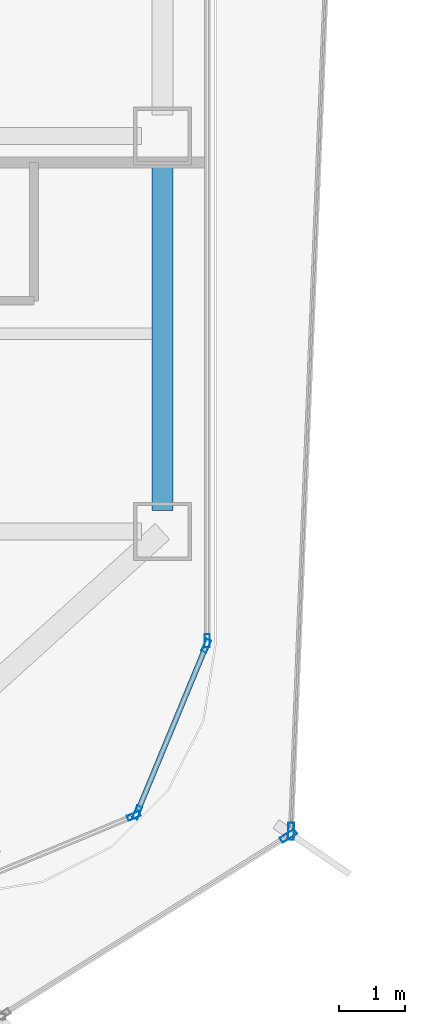
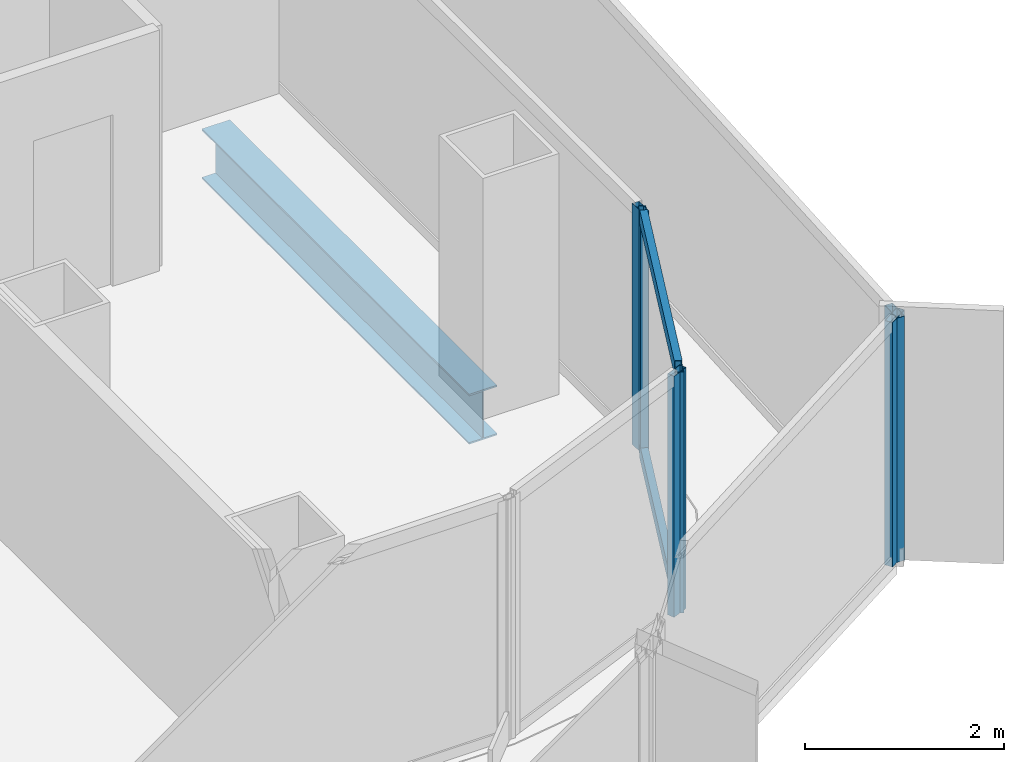
# One storey, part 8 of 21: 8 members, 1 beam, 5 elements without a shape of their own.
"""IFC4 building model written with IfcOpenShell, lengths in metres."""

from ifc_helpers import new_model, si_unit, direction, frame, origin, origin_2d, place, context, subcontext, project, spatial, hollow_rectangle, i_section, extrude, source, transform, mapped, material, layer, layer_set, material_profile, profile_set, type_object, element, aggregate, save


model = new_model("IFC4")

# Units and contexts
model_context = context("Model", 3, precision=1e-05, world=origin(), true_north=direction((0.0, 1.0)))
body_context = subcontext(model_context, "Body", "Model", "MODEL_VIEW")
ifc_project = project(units=[si_unit("LENGTHUNIT", "METRE"), si_unit("AREAUNIT", "SQUARE_METRE"), si_unit("VOLUMEUNIT", "CUBIC_METRE"), si_unit("PLANEANGLEUNIT", "RADIAN"), si_unit("MASSUNIT", "GRAM", prefix="KILO")], contexts=[model_context])

# Site, building, storey
site_placement = place(None, origin())
site = spatial("IfcSite", under=ifc_project, at=site_placement, CompositionType="ELEMENT")
building_placement = place(site_placement, origin())
building = spatial("IfcBuilding", under=site, at=building_placement, Name="Kolveth Station Tower", CompositionType="ELEMENT")
storey_placement = place(building_placement, frame((0.0, 0.0, 105.5)))
storey = spatial("IfcBuildingStorey", under=building, at=storey_placement, Name="L28", CompositionType="ELEMENT", Elevation=105.5)

# Beam
ifc_material_1 = material(Name="Steel S355", Category="steel")
ifc_material_profile_1 = material_profile(ifc_material_1, i_section(OverallWidth=0.323974609375, OverallDepth=0.611083984375, WebThickness=0.0126953125, FlangeThickness=0.01904296875, at=origin_2d()), Name="W610x155")
ifc_profile_set_1 = profile_set([ifc_material_profile_1], Name="Steel S355")
beam_type = type_object("IfcBeamType", Name="Beam_SP2", PredefinedType="SPANDREL", material=ifc_profile_set_1)
shared_shape_1 = source(origin(), body_context, "Body", "SweptSolid", [
    extrude(i_section(OverallWidth=0.323974609375, OverallDepth=0.611083984375, WebThickness=0.0126953125, FlangeThickness=0.01904296875, at=origin_2d()), origin(), (0.0, 0.0, 1.0), 5.35986328125),
])
beam_placement = place(storey_placement, frame((46.199951171875, 5.820068359375, -0.555419921875), z_axis=(0.0, 1.0, 0.0), x_axis=(-1.0, 0.0, 0.0)))
element("IfcBeam", 1, at=beam_placement, inside=storey, type_object=beam_type, Name="L28 Perimeter Spandrel BM-L28-PE-1", PredefinedType="SPANDREL", context=body_context, shape_type="MappedRepresentation", body=[
    mapped(shared_shape_1, transform((0.0, 0.0, 0.0), x_axis=(1.0, 0.0, 0.0), y_axis=(0.0, 1.0, 0.0), z_axis=(0.0, 0.0, 1.0), scale=1.0)),
])

# Curtain wall, member
ifc_material_2 = material(Name="Aluminium 6063-T6 and low-E dark glass", Category="aluminium")
ifc_layer_1 = layer(ifc_material_2, 0.18994140625)
ifc_layer_set_1 = layer_set([ifc_layer_1], Name="Aluminium 6063-T6 and low-E dark glass")
curtain_wall_type_1 = type_object("IfcCurtainWallType", Name="CurtainWall_CW-Z2", PredefinedType="NOTDEFINED", material=ifc_layer_set_1)
curtain_wall_1_placement = place(storey_placement, origin())
curtain_wall_1 = element("IfcCurtainWall", 2, at=curtain_wall_1_placement, inside=storey, type_object=curtain_wall_type_1, Name="L28 Inner Thermal Curtain Wall 1", PredefinedType="NOTDEFINED")
ifc_material_3 = material(Name="Black anodized aluminium 6063-T6", Category="aluminium")
ifc_material_profile_2 = material_profile(ifc_material_3, hollow_rectangle(XDim=0.080078125, YDim=0.199951171875, WallThickness=0.0048828125, at=origin_2d()), Name="ALU-80x200x5")
ifc_profile_set_2 = profile_set([ifc_material_profile_2], Name="Black anodized aluminium 6063-T6")
member_type_1 = type_object("IfcMemberType", Name="Mullion_ML2", PredefinedType="MULLION", material=ifc_profile_set_2)
shared_shape_2 = source(origin(), body_context, "Body", "SweptSolid", [
    extrude(hollow_rectangle(XDim=0.080078125, YDim=0.199951171875, WallThickness=0.0048828125, at=origin_2d()), origin(), (0.0, 0.0, 1.0), 2.949951171875),
])
member_1_placement = place(storey_placement, frame((45.76513671875, 1.182373046875, 0.0), z_axis=(0.0, 0.0, 1.0), x_axis=(-0.38266326998, 0.923887883787, 0.0)))
member_1 = element("IfcMember", 3, at=member_1_placement, type_object=member_type_1, Name="CW-Z2 mullion 2", PredefinedType="MULLION", context=body_context, shape_type="MappedRepresentation", body=[
    mapped(shared_shape_2, transform((0.0, 0.0, 0.0), x_axis=(1.0, 0.0, 0.0), y_axis=(0.0, 1.0, 0.0), z_axis=(0.0, 0.0, 1.0), scale=1.0)),
])
aggregate(curtain_wall_1, [member_1])

# Curtain wall, members
curtain_wall_2_placement = place(storey_placement, origin())
curtain_wall_2 = element("IfcCurtainWall", 4, at=curtain_wall_2_placement, inside=storey, type_object=curtain_wall_type_1, Name="L28 Inner Thermal Curtain Wall 2", PredefinedType="NOTDEFINED")
member_2_placement = place(storey_placement, frame((45.817626953125, 1.23486328125, 0.0), z_axis=(0.0, 0.0, 1.0), x_axis=(-0.923887883787, 0.38266326998, 0.0)))
member_2 = element("IfcMember", 5, at=member_2_placement, type_object=member_type_1, Name="CW-Z2 mullion 1", PredefinedType="MULLION", context=body_context, shape_type="MappedRepresentation", body=[
    mapped(shared_shape_2, transform((0.0, 0.0, 0.0), x_axis=(1.0, 0.0, 0.0), y_axis=(0.0, 1.0, 0.0), z_axis=(0.0, 0.0, 1.0), scale=1.0)),
])
member_3_placement = place(storey_placement, frame((46.86474609375, 3.762939453125, 0.0), z_axis=(0.0, 0.0, 1.0), x_axis=(-0.923887883787, 0.38266326998, 0.0)))
member_3 = element("IfcMember", 6, at=member_3_placement, type_object=member_type_1, Name="CW-Z2 mullion 2", PredefinedType="MULLION", context=body_context, shape_type="MappedRepresentation", body=[
    mapped(shared_shape_2, transform((0.0, 0.0, 0.0), x_axis=(1.0, 0.0, 0.0), y_axis=(0.0, 1.0, 0.0), z_axis=(0.0, 0.0, 1.0), scale=1.0)),
])

# Curtain wall, member
curtain_wall_3_placement = place(storey_placement, origin())
curtain_wall_3 = element("IfcCurtainWall", 7, at=curtain_wall_3_placement, inside=storey, type_object=curtain_wall_type_1, Name="L28 Inner Thermal Curtain Wall 3", PredefinedType="NOTDEFINED")
member_4_placement = place(storey_placement, frame((46.8798828125, 3.840087890625, 0.0), z_axis=(0.0, 0.0, 1.0), x_axis=(-1.0, 0.0, 0.0)))
member_4 = element("IfcMember", 8, at=member_4_placement, type_object=member_type_1, Name="CW-Z2 mullion 1", PredefinedType="MULLION", context=body_context, shape_type="MappedRepresentation", body=[
    mapped(shared_shape_2, transform((0.0, 0.0, 0.0), x_axis=(1.0, 0.0, 0.0), y_axis=(0.0, 1.0, 0.0), z_axis=(0.0, 0.0, 1.0), scale=1.0)),
])
aggregate(curtain_wall_3, [member_4])

# Member
ifc_material_profile_3 = material_profile(ifc_material_3, hollow_rectangle(XDim=0.080078125, YDim=0.169921875, WallThickness=0.0048828125, at=origin_2d()), Name="ALU-80x170x5")
ifc_profile_set_3 = profile_set([ifc_material_profile_3], Name="Black anodized aluminium 6063-T6")
member_type_2 = type_object("IfcMemberType", Name="Transom_TR2", PredefinedType="USERDEFINED", material=ifc_profile_set_3)
shared_shape_3 = source(origin(), body_context, "Body", "SweptSolid", [
    extrude(hollow_rectangle(XDim=0.080078125, YDim=0.169921875, WallThickness=0.0048828125, at=origin_2d()), origin(), (0.0, 0.0, 1.0), 2.656494140625),
])
member_5_placement = place(storey_placement, frame((45.832763671875, 1.271728515625, 0.0400390625), z_axis=(0.382676455475, 0.923882422403, 0.0), x_axis=(-0.923882422403, 0.382676455475, 0.0)))
member_5 = element("IfcMember", 9, at=member_5_placement, type_object=member_type_2, Name="CW-Z2 transom 1.1", ObjectType="TRANSOM", PredefinedType="USERDEFINED", context=body_context, shape_type="MappedRepresentation", body=[
    mapped(shared_shape_3, transform((0.0, 0.0, 0.0), x_axis=(1.0, 0.0, 0.0), y_axis=(0.0, 1.0, 0.0), z_axis=(0.0, 0.0, 1.0), scale=1.0)),
])

member_6_placement = place(storey_placement, frame((45.832763671875, 1.271728515625, 2.909912109375), z_axis=(0.382676455475, 0.923882422403, 0.0), x_axis=(-0.923882422403, 0.382676455475, 0.0)))
member_6 = element("IfcMember", 10, at=member_6_placement, type_object=member_type_2, Name="CW-Z2 transom 1.2", ObjectType="TRANSOM", PredefinedType="USERDEFINED", context=body_context, shape_type="MappedRepresentation", body=[
    mapped(shared_shape_3, transform((0.0, 0.0, 0.0), x_axis=(1.0, 0.0, 0.0), y_axis=(0.0, 1.0, 0.0), z_axis=(0.0, 0.0, 1.0), scale=1.0)),
])

aggregate(curtain_wall_2, [member_2, member_3, member_5, member_6])

# Curtain wall, member
ifc_material_4 = material(Name="Black anodized aluminium 6063-T6 and dark solar glass", Category="aluminium")
ifc_layer_2 = layer(ifc_material_4, 0.159912109375)
ifc_layer_set_2 = layer_set([ifc_layer_2], Name="Black anodized aluminium 6063-T6 and dark solar glass")
curtain_wall_type_2 = type_object("IfcCurtainWallType", Name="OUTER SKIN CW-OS", PredefinedType="NOTDEFINED", material=ifc_layer_set_2)
curtain_wall_4_placement = place(storey_placement, origin())
curtain_wall_4 = element("IfcCurtainWall", 11, at=curtain_wall_4_placement, inside=storey, type_object=curtain_wall_type_2, Name="L28 Outer Ventilated Skin Curtain Wall 1", PredefinedType="NOTDEFINED")
ifc_material_profile_4 = material_profile(ifc_material_3, hollow_rectangle(XDim=0.090087890625, YDim=0.260009765625, WallThickness=0.0048828125, at=origin_2d()), Name="ALU-90x260x5")
ifc_profile_set_4 = profile_set([ifc_material_profile_4], Name="Black anodized aluminium 6063-T6")
member_type_3 = type_object("IfcMemberType", Name="FIN MULLION ML-OS", PredefinedType="MULLION", material=ifc_profile_set_4)
shared_shape_4 = source(origin(), body_context, "Body", "SweptSolid", [
    extrude(hollow_rectangle(XDim=0.090087890625, YDim=0.260009765625, WallThickness=0.0048828125, at=origin_2d()), origin(), (0.0, 0.0, 1.0), 2.989990234375),
])
member_7_placement = place(storey_placement, frame((48.112060546875, 0.880126953125, 0.0), z_axis=(0.0, 0.0, 1.0), x_axis=(-0.531192061917, 0.847251434555, 0.0)))
member_7 = element("IfcMember", 12, at=member_7_placement, type_object=member_type_3, Name="CW-OS mullion 2", PredefinedType="MULLION", context=body_context, shape_type="MappedRepresentation", body=[
    mapped(shared_shape_4, transform((0.0, 0.0, 0.0), x_axis=(1.0, 0.0, 0.0), y_axis=(0.0, 1.0, 0.0), z_axis=(0.0, 0.0, 1.0), scale=1.0)),
])
aggregate(curtain_wall_4, [member_7])

curtain_wall_5_placement = place(storey_placement, origin())
curtain_wall_5 = element("IfcCurtainWall", 13, at=curtain_wall_5_placement, inside=storey, type_object=curtain_wall_type_2, Name="L28 Outer Ventilated Skin Curtain Wall 2", PredefinedType="NOTDEFINED")
member_8_placement = place(storey_placement, frame((48.15185546875, 0.948974609375, 0.0), z_axis=(0.0, 0.0, 1.0), x_axis=(-0.999153899968, 0.041127657099, 0.0)))
member_8 = element("IfcMember", 14, at=member_8_placement, type_object=member_type_3, Name="CW-OS mullion 1", PredefinedType="MULLION", context=body_context, shape_type="MappedRepresentation", body=[
    mapped(shared_shape_4, transform((0.0, 0.0, 0.0), x_axis=(1.0, 0.0, 0.0), y_axis=(0.0, 1.0, 0.0), z_axis=(0.0, 0.0, 1.0), scale=1.0)),
])
aggregate(curtain_wall_5, [member_8])

save(model, "model.ifc")
